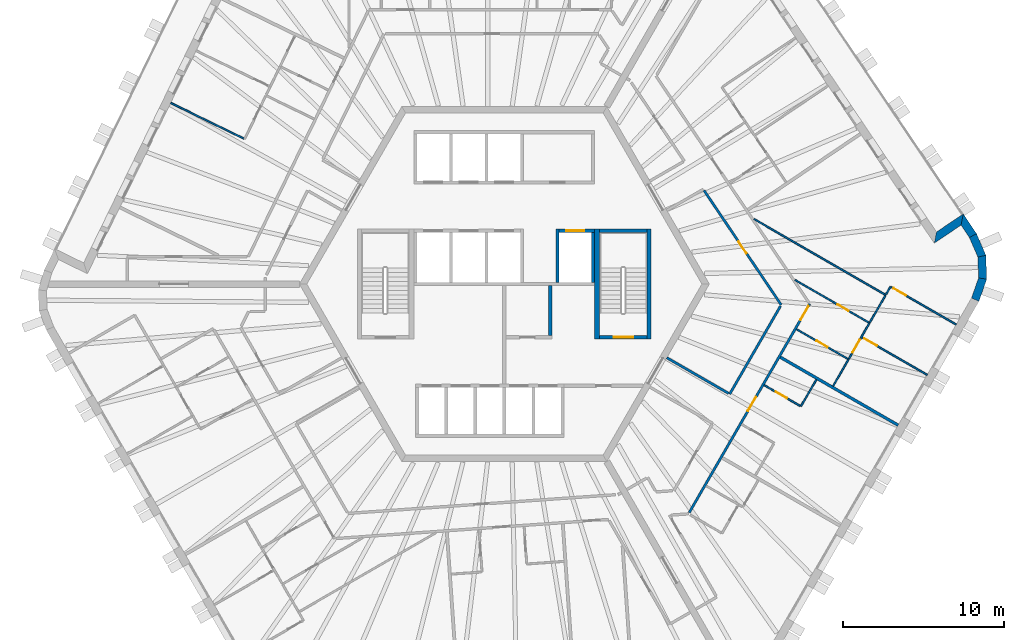
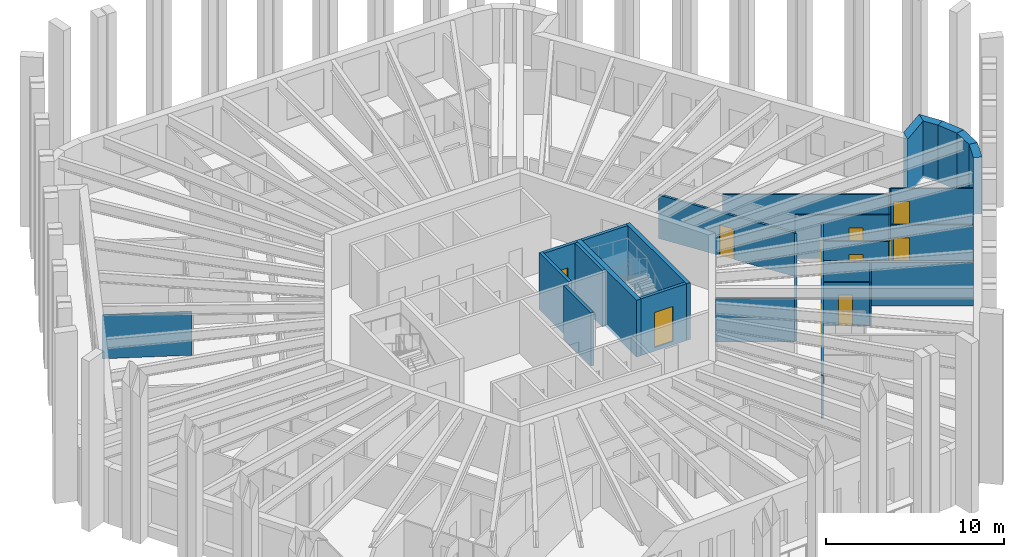
# One storey, part 7 of 13: 30 walls, 11 doors, 11 openings.
"""IFC4 building model written with IfcOpenShell, lengths in metres."""

from ifc_helpers import new_model, si_unit, direction, frame, frame_2d, origin, place, context, subcontext, project, spatial, polyline, rectangle, outline, extrude, material, layer, layer_set, type_object, element, fill, save


model = new_model("IFC4")

# Units and contexts
model_context = context("Model", 3, precision=1e-05, world=origin(), true_north=direction((0.0, 1.0)))
body_context = subcontext(model_context, "Body", "Model", "MODEL_VIEW")
ifc_project = project(units=[si_unit("LENGTHUNIT", "METRE"), si_unit("AREAUNIT", "SQUARE_METRE"), si_unit("VOLUMEUNIT", "CUBIC_METRE"), si_unit("PLANEANGLEUNIT", "RADIAN"), si_unit("MASSUNIT", "GRAM", prefix="KILO")], contexts=[model_context])

# Site, building, storey
site_placement = place(None, origin())
site = spatial("IfcSite", under=ifc_project, at=site_placement, CompositionType="ELEMENT")
building_placement = place(site_placement, origin())
building = spatial("IfcBuilding", under=site, at=building_placement, Name="Tarnside Tower", CompositionType="ELEMENT")
storey_placement = place(building_placement, frame((0.0, 0.0, 267.89990234375)))
storey = spatial("IfcBuildingStorey", under=building, at=storey_placement, Name="L64", CompositionType="ELEMENT", Elevation=267.89990234375)

# Wall
ifc_material_1 = material(Name="Gypsum board partition on steel studs", Category="steel")
ifc_layer_1 = layer(ifc_material_1, 0.10009765625)
ifc_layer_set_1 = layer_set([ifc_layer_1], Name="Bathroom wall 100")
wall_type_1 = type_object("IfcWallType", Name="Bathroom wall 100", PredefinedType="PARTITIONING", material=ifc_layer_set_1)
wall_1_placement = place(storey_placement, frame((19.328125, -5.9228515625, 0.0), z_axis=(0.0, 0.0, 1.0), x_axis=(-0.500043324278, -0.866000389056, 0.0)))
element("IfcWall", 1, at=wall_1_placement, inside=storey, type_object=wall_type_1, Name="Bathroom wall 21152", PredefinedType="PARTITIONING", context=body_context, shape_type="SweptSolid", body=[
    extrude(rectangle(XDim=1.909912109375, YDim=0.10009765625, at=frame_2d((0.955078125, 0.0))), origin(), (0.0, 0.0, 1.0), 2.98779296875),
])

# Wall, opening, door
wall_2_placement = place(storey_placement, frame((18.329833984375, -7.5517578125, 0.0), z_axis=(0.0, 0.0, 1.0), x_axis=(-0.866046643894, 0.499963209246, 0.0)))
wall_2 = element("IfcWall", 2, at=wall_2_placement, inside=storey, type_object=wall_type_1, Name="Bathroom wall 21153", PredefinedType="PARTITIONING", context=body_context, shape_type="SweptSolid", body=[
    extrude(rectangle(XDim=2.574951171875, YDim=0.10009765625, at=frame_2d((1.28759765625, 0.0))), origin(), (0.0, 0.0, 1.0), 2.98779296875),
])
opening_1_placement = place(wall_2_placement, frame((0.949951171875, 0.0, 0.0)))
opening_1 = element("IfcOpeningElement", 3, at=opening_1_placement, cuts=wall_2, Name="Opening D-B1", PredefinedType="OPENING", context=body_context, shape_type="SweptSolid", body=[
    extrude(rectangle(XDim=0.800048828125, YDim=2.10009765625, at=frame_2d((0.39990234375, 1.050048828125))), frame((0.0, 0.06005859375, 0.0), z_axis=(0.0, -1.0, 0.0), x_axis=(1.0, 0.0, 0.0)), (0.0, 0.0, 1.0), 0.1201171875),
])
ifc_material_2 = material(Name="Timber door leaf", Category="wood")
door_type_1 = type_object("IfcDoorType", Name="Bathroom door 800", OperationType="NOTDEFINED", PredefinedType="DOOR", material=ifc_material_2)
door_1_placement = place(opening_1_placement, origin())
door_1 = element("IfcDoor", 4, at=door_1_placement, inside=storey, type_object=door_type_1, Name="Bathroom door 21051", OperationType="SINGLE_SWING_LEFT", OverallHeight=2.10009765625, OverallWidth=0.800048828125, PredefinedType="DOOR", context=body_context, shape_type="SweptSolid", body=[
    extrude(rectangle(XDim=0.800048828125, YDim=2.10009765625, at=frame_2d((0.39990234375, 1.050048828125))), frame((0.0, 0.02490234375, 0.0), z_axis=(0.0, -1.0, 0.0), x_axis=(1.0, 0.0, 0.0)), (0.0, 0.0, 1.0), 0.050048828125),
])
fill(opening_1, door_1)

# Wall
wall_3_placement = place(storey_placement, frame((15.462890625, 4.03369140625, 0.0), z_axis=(0.0, 0.0, 1.0), x_axis=(0.866033324905, -0.499986279965, 0.0)))
element("IfcWall", 5, at=wall_3_placement, inside=storey, type_object=wall_type_1, Name="Bathroom wall 21161", PredefinedType="PARTITIONING", context=body_context, shape_type="SweptSolid", body=[
    extrude(rectangle(XDim=9.425537109375, YDim=0.10009765625, at=frame_2d((4.712890625, 0.0))), origin(), (0.0, 0.0, 1.0), 2.98779296875),
])

# Wall, opening, door
wall_4_placement = place(storey_placement, frame((18.099853515625, -2.80029296875, 0.0), z_axis=(0.0, 0.0, 1.0), x_axis=(0.866012039196, -0.500023147432, 0.0)))
wall_4 = element("IfcWall", 6, at=wall_4_placement, inside=storey, type_object=wall_type_1, Name="Bathroom wall 21164", PredefinedType="PARTITIONING", context=body_context, shape_type="SweptSolid", body=[
    extrude(rectangle(XDim=3.724853515625, YDim=0.10009765625, at=frame_2d((1.8623046875, 0.0))), origin(), (0.0, 0.0, 1.0), 2.98779296875),
])
opening_2_placement = place(wall_4_placement, frame((1.425048828125, 0.0, 0.0)))
opening_2 = element("IfcOpeningElement", 7, at=opening_2_placement, cuts=wall_4, Name="Opening D-B1", PredefinedType="OPENING", context=body_context, shape_type="SweptSolid", body=[
    extrude(rectangle(XDim=0.800048828125, YDim=2.10009765625, at=frame_2d((0.39990234375, 1.050048828125))), frame((0.0, 0.06005859375, 0.0), z_axis=(0.0, -1.0, 0.0), x_axis=(1.0, 0.0, 0.0)), (0.0, 0.0, 1.0), 0.1201171875),
])
door_2_placement = place(opening_2_placement, origin())
door_2 = element("IfcDoor", 8, at=door_2_placement, inside=storey, type_object=door_type_1, Name="Bathroom door 21054", OperationType="SINGLE_SWING_RIGHT", OverallHeight=2.10009765625, OverallWidth=0.800048828125, PredefinedType="DOOR", context=body_context, shape_type="SweptSolid", body=[
    extrude(rectangle(XDim=0.800048828125, YDim=2.10009765625, at=frame_2d((0.39990234375, 1.050048828125))), frame((0.0, 0.02490234375, 0.0), z_axis=(0.0, -1.0, 0.0), x_axis=(1.0, 0.0, 0.0)), (0.0, 0.0, 1.0), 0.050048828125),
])
fill(opening_2, door_2)

wall_5_placement = place(storey_placement, frame((22.625732421875, -2.4111328125, 0.0), z_axis=(0.0, 0.0, 1.0), x_axis=(-0.866016851835, 0.500014812119, 0.0)))
wall_5 = element("IfcWall", 9, at=wall_5_placement, inside=storey, type_object=wall_type_1, Name="Bathroom wall 21167", PredefinedType="PARTITIONING", context=body_context, shape_type="SweptSolid", body=[
    extrude(rectangle(XDim=5.324951171875, YDim=0.10009765625, at=frame_2d((2.66259765625, 0.0))), origin(), (0.0, 0.0, 1.0), 2.98779296875),
])
opening_3_placement = place(wall_5_placement, frame((1.5, 0.0, 0.0)))
opening_3 = element("IfcOpeningElement", 10, at=opening_3_placement, cuts=wall_5, Name="Opening D-B1", PredefinedType="OPENING", context=body_context, shape_type="SweptSolid", body=[
    extrude(rectangle(XDim=0.800048828125, YDim=2.10009765625, at=frame_2d((0.39990234375, 1.050048828125))), frame((0.0, 0.06005859375, 0.0), z_axis=(0.0, -1.0, 0.0), x_axis=(1.0, 0.0, 0.0)), (0.0, 0.0, 1.0), 0.1201171875),
])
door_3_placement = place(opening_3_placement, origin())
door_3 = element("IfcDoor", 11, at=door_3_placement, inside=storey, type_object=door_type_1, Name="Bathroom door 21062", OperationType="SINGLE_SWING_RIGHT", OverallHeight=2.10009765625, OverallWidth=0.800048828125, PredefinedType="DOOR", context=body_context, shape_type="SweptSolid", body=[
    extrude(rectangle(XDim=0.800048828125, YDim=2.10009765625, at=frame_2d((0.39990234375, 1.050048828125))), frame((0.0, 0.02490234375, 0.0), z_axis=(0.0, -1.0, 0.0), x_axis=(1.0, 0.0, 0.0)), (0.0, 0.0, 1.0), 0.050048828125),
])
fill(opening_3, door_3)

# Walls
wall_6_placement = place(storey_placement, frame((20.370849609375, -6.31689453125, 0.0), z_axis=(0.0, 0.0, 1.0), x_axis=(0.49994353734, 0.866058000062, 0.0)))
element("IfcWall", 12, at=wall_6_placement, inside=storey, type_object=wall_type_1, Name="Bathroom wall 21168", PredefinedType="PARTITIONING", context=body_context, shape_type="SweptSolid", body=[
    extrude(rectangle(XDim=1.911865234375, YDim=0.10009765625, at=frame_2d((0.9560546875, 0.0))), origin(), (0.0, 0.0, 1.0), 2.98779296875),
])
wall_7_placement = place(storey_placement, frame((23.600830078125, -0.722412109375, 0.0), z_axis=(0.0, 0.0, 1.0), x_axis=(-0.500119165741, -0.865956592479, 0.0)))
element("IfcWall", 13, at=wall_7_placement, inside=storey, type_object=wall_type_1, Name="Bathroom wall 21170", PredefinedType="PARTITIONING", context=body_context, shape_type="SweptSolid", body=[
    extrude(rectangle(XDim=1.89990234375, YDim=0.10009765625, at=frame_2d((0.949951171875, 0.0))), origin(), (0.0, 0.0, 1.0), 2.98779296875),
])
ifc_material_3 = material(Name="Concrete C40/50", Category="concrete")
ifc_layer_2 = layer(ifc_material_3, 0.199951171875)
ifc_layer_set_2 = layer_set([ifc_layer_2], Name="Core room partition 200 C40/50")
wall_type_2 = type_object("IfcWallType", Name="Core room partition 200 C40/50", PredefinedType="PARTITIONING", material=ifc_layer_set_2)
wall_8_placement = place(storey_placement, frame((2.85009765625, -3.199951171875, 0.0), z_axis=(0.0, 0.0, 1.0), x_axis=(0.0, 1.0, 0.0)))
element("IfcWall", 14, at=wall_8_placement, inside=storey, type_object=wall_type_2, Name="L64 core partition R3P1b", PredefinedType="PARTITIONING", context=body_context, shape_type="SweptSolid", body=[
    extrude(rectangle(XDim=3.099853515625, YDim=0.199951171875, at=frame_2d((1.5498046875, 0.0))), origin(), (0.0, 0.0, 1.0), 3.650146484375),
])

# Wall, openings, doors
ifc_layer_3 = layer(ifc_material_1, 0.14990234375)
ifc_layer_set_3 = layer_set([ifc_layer_3], Name="Corridor wall 150 EI 60")
wall_type_3 = type_object("IfcWallType", Name="Corridor wall 150 EI 60", PredefinedType="PARTITIONING", material=ifc_layer_set_3)
wall_9_placement = place(storey_placement, frame((11.454345703125, -14.160400390625, 0.0), z_axis=(0.0, 0.0, 1.0), x_axis=(0.500000296604, 0.86602523254, 0.0)))
wall_9 = element("IfcWall", 15, at=wall_9_placement, inside=storey, type_object=wall_type_3, Name="Corridor wall 21059", PredefinedType="PARTITIONING", context=body_context, shape_type="SweptSolid", body=[
    extrude(rectangle(XDim=14.93359375, YDim=0.14990234375, at=frame_2d((7.466796875, 0.0))), origin(), (0.0, 0.0, 1.0), 2.98779296875),
])
opening_4_placement = place(wall_9_placement, frame((7.260986328125, 0.0, 0.0)))
opening_4 = element("IfcOpeningElement", 16, at=opening_4_placement, cuts=wall_9, Name="Opening D-E1", PredefinedType="OPENING", context=body_context, shape_type="SweptSolid", body=[
    extrude(rectangle(XDim=1.0, YDim=2.10009765625, at=frame_2d((0.5, 1.050048828125))), frame((0.0, 0.0849609375, 0.0), z_axis=(0.0, -1.0, 0.0), x_axis=(1.0, 0.0, 0.0)), (0.0, 0.0, 1.0), 0.169921875),
])
opening_5_placement = place(wall_9_placement, frame((13.78369140625, 0.0, 0.0)))
opening_5 = element("IfcOpeningElement", 17, at=opening_5_placement, cuts=wall_9, Name="Opening D-E1", PredefinedType="OPENING", context=body_context, shape_type="SweptSolid", body=[
    extrude(rectangle(XDim=1.0, YDim=2.10009765625, at=frame_2d((0.5, 1.050048828125))), frame((0.0, 0.0849609375, 0.0), z_axis=(0.0, -1.0, 0.0), x_axis=(1.0, 0.0, 0.0)), (0.0, 0.0, 1.0), 0.169921875),
])
door_type_2 = type_object("IfcDoorType", Name="Unit entrance door 1000 FD30S", OperationType="NOTDEFINED", PredefinedType="DOOR", material=ifc_material_2)
door_4_placement = place(opening_4_placement, origin())
door_4 = element("IfcDoor", 18, at=door_4_placement, inside=storey, type_object=door_type_2, Name="Unit door 21050", OperationType="SINGLE_SWING_RIGHT", OverallHeight=2.10009765625, OverallWidth=1.0, PredefinedType="DOOR", context=body_context, shape_type="SweptSolid", body=[
    extrude(rectangle(XDim=1.0, YDim=2.10009765625, at=frame_2d((0.5, 1.050048828125))), frame((0.0, 0.02490234375, 0.0), z_axis=(0.0, -1.0, 0.0), x_axis=(1.0, 0.0, 0.0)), (0.0, 0.0, 1.0), 0.050048828125),
])
fill(opening_4, door_4)
door_5_placement = place(opening_5_placement, origin())
door_5 = element("IfcDoor", 19, at=door_5_placement, inside=storey, type_object=door_type_2, Name="Unit door 21053", OperationType="SINGLE_SWING_LEFT", OverallHeight=2.10009765625, OverallWidth=1.0, PredefinedType="DOOR", context=body_context, shape_type="SweptSolid", body=[
    extrude(rectangle(XDim=1.0, YDim=2.10009765625, at=frame_2d((0.5, 1.050048828125))), frame((0.0, 0.02490234375, 0.0), z_axis=(0.0, -1.0, 0.0), x_axis=(1.0, 0.0, 0.0)), (0.0, 0.0, 1.0), 0.050048828125),
])
fill(opening_5, door_5)

# Wall, opening, door
wall_10_placement = place(storey_placement, frame((12.36669921875, 5.8076171875, 0.0), z_axis=(0.0, 0.0, 1.0), x_axis=(0.559187256666, -0.829041381345, 0.0)))
wall_10 = element("IfcWall", 20, at=wall_10_placement, inside=storey, type_object=wall_type_3, Name="Corridor wall 21075", PredefinedType="PARTITIONING", context=body_context, shape_type="SweptSolid", body=[
    extrude(rectangle(XDim=8.560302734375, YDim=0.14990234375, at=frame_2d((4.2802734375, 0.0))), origin(), (0.0, 0.0, 1.0), 2.98779296875),
])
opening_6_placement = place(wall_10_placement, frame((3.830078125, 0.0, 0.0)))
opening_6 = element("IfcOpeningElement", 21, at=opening_6_placement, cuts=wall_10, Name="Opening D-S1", PredefinedType="OPENING", context=body_context, shape_type="SweptSolid", body=[
    extrude(rectangle(XDim=0.89990234375, YDim=2.10009765625, at=frame_2d((0.449951171875, 1.050048828125))), frame((0.0, 0.0849609375, 0.0), z_axis=(0.0, -1.0, 0.0), x_axis=(1.0, 0.0, 0.0)), (0.0, 0.0, 1.0), 0.169921875),
])
door_type_3 = type_object("IfcDoorType", Name="Service room door 900 FD30S", OperationType="NOTDEFINED", PredefinedType="DOOR", material=ifc_material_2)
door_6_placement = place(opening_6_placement, origin())
door_6 = element("IfcDoor", 22, at=door_6_placement, inside=storey, type_object=door_type_3, Name="Service door 21073", OperationType="SINGLE_SWING_RIGHT", OverallHeight=2.10009765625, OverallWidth=0.89990234375, PredefinedType="DOOR", context=body_context, shape_type="SweptSolid", body=[
    extrude(rectangle(XDim=0.89990234375, YDim=2.10009765625, at=frame_2d((0.449951171875, 1.050048828125))), frame((0.0, 0.02490234375, 0.0), z_axis=(0.0, -1.0, 0.0), x_axis=(1.0, 0.0, 0.0)), (0.0, 0.0, 1.0), 0.050048828125),
])
fill(opening_6, door_6)

# Walls
wall_11_placement = place(storey_placement, frame((17.11181640625, -1.361572265625, 0.0), z_axis=(0.0, 0.0, 1.0), x_axis=(-0.49999985423, -0.866025487945, 0.0)))
element("IfcWall", 23, at=wall_11_placement, inside=storey, type_object=wall_type_3, Name="Corridor wall 21076", PredefinedType="PARTITIONING", context=body_context, shape_type="SweptSolid", body=[
    extrude(rectangle(XDim=6.2978515625, YDim=0.14990234375, at=frame_2d((3.14892578125, 0.0))), origin(), (0.0, 0.0, 1.0), 2.98779296875),
])
wall_12_placement = place(storey_placement, frame((13.89794921875, -6.778076171875, 0.0), z_axis=(0.0, 0.0, 1.0), x_axis=(-0.866041342403, 0.499972392486, 0.0)))
element("IfcWall", 24, at=wall_12_placement, inside=storey, type_object=wall_type_3, Name="Corridor wall 21077", PredefinedType="PARTITIONING", context=body_context, shape_type="SweptSolid", body=[
    extrude(rectangle(XDim=4.425048828125, YDim=0.14990234375, at=frame_2d((2.21240234375, 0.0))), origin(), (0.0, 0.0, 1.0), 2.98779296875),
])
ifc_layer_4 = layer(ifc_material_1, 0.179931640625)
ifc_layer_set_4 = layer_set([ifc_layer_4], Name="Demising wall 180 EI 60")
wall_type_4 = type_object("IfcWallType", Name="Demising wall 180 EI 60", PredefinedType="PARTITIONING", material=ifc_layer_set_4)
wall_13_placement = place(storey_placement, frame((24.39599609375, -8.744873046875, 0.0), z_axis=(0.0, 0.0, 1.0), x_axis=(-0.866014270972, 0.500019282102, 0.0)))
element("IfcWall", 25, at=wall_13_placement, inside=storey, type_object=wall_type_4, Name="Demising wall 21156", PredefinedType="PARTITIONING", context=body_context, shape_type="SweptSolid", body=[
    extrude(rectangle(XDim=8.425048828125, YDim=0.179931640625, at=frame_2d((4.21240234375, 0.0))), origin(), (0.0, 0.0, 1.0), 2.98779296875),
])

# Wall, opening, door
ifc_layer_5 = layer(ifc_material_3, 0.199951171875)
ifc_layer_set_5 = layer_set([ifc_layer_5], Name="Lift shaft wall 200 C40/50")
wall_type_5 = type_object("IfcWallType", Name="Lift shaft wall 200 C40/50", PredefinedType="SHEAR", material=ifc_layer_set_5)
wall_14_placement = place(storey_placement, frame((3.39990234375, 3.300048828125, -0.25), z_axis=(0.0, 0.0, 1.0), x_axis=(1.0, 0.0, 0.0)))
wall_14 = element("IfcWall", 26, at=wall_14_placement, inside=storey, type_object=wall_type_5, Name="L64 lift shaft front wall R2 2", PredefinedType="SHEAR", context=body_context, shape_type="SweptSolid", body=[
    extrude(rectangle(XDim=2.2001953125, YDim=0.199951171875, at=frame_2d((1.10009765625, 0.0))), origin(), (0.0, 0.0, 1.0), 3.900146484375),
])
opening_7_placement = place(wall_14_placement, frame((0.449951171875, 0.0, 0.25)))
opening_7 = element("IfcOpeningElement", 27, at=opening_7_placement, cuts=wall_14, Name="Opening LD", PredefinedType="OPENING", context=body_context, shape_type="SweptSolid", body=[
    extrude(rectangle(XDim=1.10009765625, YDim=2.10009765625, at=frame_2d((0.550048828125, 1.050048828125))), frame((0.0, 0.10986328125, 0.0), z_axis=(0.0, -1.0, 0.0), x_axis=(1.0, 0.0, 0.0)), (0.0, 0.0, 1.0), 0.219970703125),
])
ifc_material_4 = material(Name="Stainless steel", Category="steel")
door_type_4 = type_object("IfcDoorType", Name="Lift landing door 1100x2100", OperationType="NOTDEFINED", PredefinedType="DOOR", material=ifc_material_4)
door_7_placement = place(opening_7_placement, origin())
door_7 = element("IfcDoor", 28, at=door_7_placement, inside=storey, type_object=door_type_4, Name="Express sky-lobby shuttle 2 landing door L64", OperationType="SLIDING_TO_LEFT", OverallHeight=2.10009765625, OverallWidth=1.10009765625, PredefinedType="DOOR", context=body_context, shape_type="SweptSolid", body=[
    extrude(rectangle(XDim=1.10009765625, YDim=2.10009765625, at=frame_2d((0.550048828125, 1.050048828125))), frame((0.0, 0.02490234375, 0.0), z_axis=(0.0, -1.0, 0.0), x_axis=(1.0, 0.0, 0.0)), (0.0, 0.0, 1.0), 0.050048828125),
])
fill(opening_7, door_7)

# Walls
wall_15_placement = place(storey_placement, frame((3.300048828125, 0.10009765625, -0.25), z_axis=(0.0, 0.0, 1.0), x_axis=(0.0, 1.0, 0.0)))
element("IfcWall", 29, at=wall_15_placement, inside=storey, type_object=wall_type_5, Name="L64 lift shaft partition R25", PredefinedType="SHEAR", context=body_context, shape_type="SweptSolid", body=[
    extrude(rectangle(XDim=3.2998046875, YDim=0.199951171875, at=frame_2d((1.64990234375, 0.0))), origin(), (0.0, 0.0, 1.0), 3.900146484375),
])
wall_16_placement = place(storey_placement, frame((5.5, 0.10009765625, -0.25), z_axis=(0.0, 0.0, 1.0), x_axis=(0.0, 1.0, 0.0)))
element("IfcWall", 30, at=wall_16_placement, inside=storey, type_object=wall_type_5, Name="L64 lift shaft partition R26", PredefinedType="SHEAR", context=body_context, shape_type="SweptSolid", body=[
    extrude(rectangle(XDim=3.099853515625, YDim=0.199951171875, at=frame_2d((1.5498046875, 0.0))), origin(), (0.0, 0.0, 1.0), 3.900146484375),
])
wall_17_placement = place(storey_placement, frame((5.89990234375, 3.300048828125, -0.25), z_axis=(0.0, 0.0, 1.0), x_axis=(1.0, 0.0, 0.0)))
element("IfcWall", 31, at=wall_17_placement, inside=storey, type_object=wall_type_5, Name="L64 stair 1 enclosure cap wall n", PredefinedType="SHEAR", context=body_context, shape_type="SweptSolid", body=[
    extrude(rectangle(XDim=2.9501953125, YDim=0.199951171875, at=frame_2d((1.47509765625, 0.0))), origin(), (0.0, 0.0, 1.0), 3.900146484375),
])

# Wall, opening, door
wall_18_placement = place(storey_placement, frame((5.89990234375, -3.300048828125, -0.25), z_axis=(0.0, 0.0, 1.0), x_axis=(1.0, 0.0, 0.0)))
wall_18 = element("IfcWall", 32, at=wall_18_placement, inside=storey, type_object=wall_type_5, Name="L64 stair 1 enclosure cap wall s", PredefinedType="SHEAR", context=body_context, shape_type="SweptSolid", body=[
    extrude(rectangle(XDim=2.9501953125, YDim=0.199951171875, at=frame_2d((1.47509765625, 0.0))), origin(), (0.0, 0.0, 1.0), 3.900146484375),
])
opening_8_placement = place(wall_18_placement, frame((0.875, 0.0, 0.25)))
opening_8 = element("IfcOpeningElement", 33, at=opening_8_placement, cuts=wall_18, Name="Opening CD-STR", PredefinedType="OPENING", context=body_context, shape_type="SweptSolid", body=[
    extrude(rectangle(XDim=1.199951171875, YDim=2.39990234375, at=frame_2d((0.60009765625, 1.199951171875))), frame((0.0, 0.10986328125, 0.0), z_axis=(0.0, -1.0, 0.0), x_axis=(1.0, 0.0, 0.0)), (0.0, 0.0, 1.0), 0.219970703125),
])
ifc_material_5 = material(Name="Steel fire door", Category="steel")
door_type_5 = type_object("IfcDoorType", Name="Stair door FD60S 1200x2400", OperationType="NOTDEFINED", PredefinedType="DOOR", material=ifc_material_5)
door_8_placement = place(opening_8_placement, origin())
door_8 = element("IfcDoor", 34, at=door_8_placement, inside=storey, type_object=door_type_5, Name="L64 stair 1 door", OperationType="SINGLE_SWING_LEFT", OverallHeight=2.39990234375, OverallWidth=1.199951171875, PredefinedType="DOOR", context=body_context, shape_type="SweptSolid", body=[
    extrude(rectangle(XDim=1.199951171875, YDim=2.39990234375, at=frame_2d((0.60009765625, 1.199951171875))), frame((0.0, 0.02490234375, 0.0), z_axis=(0.0, -1.0, 0.0), x_axis=(1.0, 0.0, 0.0)), (0.0, 0.0, 1.0), 0.050048828125),
])
fill(opening_8, door_8)

# Walls
ifc_material_6 = material(Name="Dark zinc cladding")
ifc_layer_6 = layer(ifc_material_6, 0.10205078125)
ifc_material_7 = material(Name="Concrete C60/75 precast", Category="concrete")
ifc_layer_7 = layer(ifc_material_7, 0.298095703125)
ifc_material_8 = material(Name="Mineral wool insulation")
ifc_layer_8 = layer(ifc_material_8, 0.10009765625)
ifc_layer_set_6 = layer_set([ifc_layer_6, ifc_layer_7, ifc_layer_8], Name="Loggia wall 500 zinc faced")
wall_type_6 = type_object("IfcWallType", Name="Loggia wall 500 zinc faced", PredefinedType="SOLIDWALL", material=ifc_layer_set_6)
wall_19_placement = place(storey_placement, frame((29.034912109375, 3.00244140625, -0.14990234375), z_axis=(0.0, 0.0, 1.0), x_axis=(-0.559200218553, 0.829032638423, 0.0)))
element("IfcWall", 35, at=wall_19_placement, inside=storey, type_object=wall_type_6, Name="Tube wall L64 F6 stub 28", PredefinedType="SOLIDWALL", context=body_context, shape_type="SweptSolid", body=[
    extrude(outline(polyline([(-0.0234375, -0.25), (1.44970703125, -0.25), (0.94970703125, 0.25), (0.0234375, 0.25), (-0.0234375, -0.25)])), origin(), (0.0, 0.0, 1.0), 3.89990234375),
])
wall_20_placement = place(storey_placement, frame((28.364013671875, 3.9970703125, -0.14990234375), z_axis=(0.0, 0.0, 1.0), x_axis=(-0.829108975345, -0.5590870299, 0.0)))
element("IfcWall", 36, at=wall_20_placement, inside=storey, type_object=wall_type_6, Name="Tube wall L64 F6 return 29", PredefinedType="SOLIDWALL", context=body_context, shape_type="SweptSolid", body=[
    extrude(outline(polyline([(-0.25, -0.25), (1.75, -0.25), (2.25, 0.25), (0.25, 0.25), (-0.25, -0.25)])), origin(), (0.0, 0.0, 1.0), 3.89990234375),
])
ifc_layer_9 = layer(ifc_material_1, 0.10009765625)
ifc_layer_set_7 = layer_set([ifc_layer_9], Name="Partition 100")
wall_type_7 = type_object("IfcWallType", Name="Partition 100", PredefinedType="PARTITIONING", material=ifc_layer_set_7)
wall_21_placement = place(storey_placement, frame((-16.133544921875, 9.009033203125, 0.0), z_axis=(0.0, 0.0, 1.0), x_axis=(-0.898802361891, 0.438354096889, 0.0)))
element("IfcWall", 37, at=wall_21_placement, inside=storey, type_object=wall_type_7, Name="Partition wall 21108", PredefinedType="PARTITIONING", context=body_context, shape_type="SweptSolid", body=[
    extrude(rectangle(XDim=5.0498046875, YDim=0.10009765625, at=frame_2d((2.52490234375, 0.0))), origin(), (0.0, 0.0, 1.0), 2.98779296875),
])
wall_22_placement = place(storey_placement, frame((23.649658203125, -0.637451171875, 0.0), z_axis=(0.0, 0.0, 1.0), x_axis=(0.500181810019, 0.865920410272, 0.0)))
element("IfcWall", 38, at=wall_22_placement, inside=storey, type_object=wall_type_7, Name="Partition wall 21159", PredefinedType="PARTITIONING", context=body_context, shape_type="SweptSolid", body=[
    extrude(rectangle(XDim=0.552001953125, YDim=0.10009765625, at=frame_2d((0.27587890625, 0.0))), origin(), (0.0, 0.0, 1.0), 2.98779296875),
])

# Wall, opening, door
wall_23_placement = place(storey_placement, frame((23.968994140625, -0.184326171875, 0.0), z_axis=(0.0, 0.0, 1.0), x_axis=(0.866011596997, -0.500023913295, 0.0)))
wall_23 = element("IfcWall", 39, at=wall_23_placement, inside=storey, type_object=wall_type_7, Name="Partition wall 21160", PredefinedType="PARTITIONING", context=body_context, shape_type="SweptSolid", body=[
    extrude(rectangle(XDim=4.650146484375, YDim=0.10009765625, at=frame_2d((2.3251953125, 0.0))), origin(), (0.0, 0.0, 1.0), 2.98779296875),
])
opening_9_placement = place(wall_23_placement, frame((0.14990234375, 0.0, 0.0)))
opening_9 = element("IfcOpeningElement", 40, at=opening_9_placement, cuts=wall_23, Name="Opening D-I1", PredefinedType="OPENING", context=body_context, shape_type="SweptSolid", body=[
    extrude(rectangle(XDim=0.89990234375, YDim=2.10009765625, at=frame_2d((0.449951171875, 1.050048828125))), frame((0.0, 0.06005859375, 0.0), z_axis=(0.0, -1.0, 0.0), x_axis=(1.0, 0.0, 0.0)), (0.0, 0.0, 1.0), 0.1201171875),
])
door_type_6 = type_object("IfcDoorType", Name="Internal door 900", OperationType="NOTDEFINED", PredefinedType="DOOR", material=ifc_material_2)
door_9_placement = place(opening_9_placement, origin())
door_9 = element("IfcDoor", 41, at=door_9_placement, inside=storey, type_object=door_type_6, Name="Internal door 21061", OperationType="SINGLE_SWING_RIGHT", OverallHeight=2.10009765625, OverallWidth=0.89990234375, PredefinedType="DOOR", context=body_context, shape_type="SweptSolid", body=[
    extrude(rectangle(XDim=0.89990234375, YDim=2.10009765625, at=frame_2d((0.449951171875, 1.050048828125))), frame((0.0, 0.02490234375, 0.0), z_axis=(0.0, -1.0, 0.0), x_axis=(1.0, 0.0, 0.0)), (0.0, 0.0, 1.0), 0.050048828125),
])
fill(opening_9, door_9)

wall_24_placement = place(storey_placement, frame((21.349609375, -4.62109375, 0.0), z_axis=(0.0, 0.0, 1.0), x_axis=(0.500056202316, 0.865992952931, 0.0)))
wall_24 = element("IfcWall", 42, at=wall_24_placement, inside=storey, type_object=wall_type_7, Name="Partition wall 21165", PredefinedType="PARTITIONING", context=body_context, shape_type="SweptSolid", body=[
    extrude(rectangle(XDim=2.553955078125, YDim=0.10009765625, at=frame_2d((1.27685546875, 0.0))), origin(), (0.0, 0.0, 1.0), 2.98779296875),
])
opening_10_placement = place(wall_24_placement, frame((0.451904296875, 0.0, 0.0)))
opening_10 = element("IfcOpeningElement", 43, at=opening_10_placement, cuts=wall_24, Name="Opening D-I1", PredefinedType="OPENING", context=body_context, shape_type="SweptSolid", body=[
    extrude(rectangle(XDim=0.89990234375, YDim=2.10009765625, at=frame_2d((0.449951171875, 1.050048828125))), frame((0.0, 0.06005859375, 0.0), z_axis=(0.0, -1.0, 0.0), x_axis=(1.0, 0.0, 0.0)), (0.0, 0.0, 1.0), 0.1201171875),
])
door_10_placement = place(opening_10_placement, origin())
door_10 = element("IfcDoor", 44, at=door_10_placement, inside=storey, type_object=door_type_6, Name="Internal door 21056", OperationType="SINGLE_SWING_LEFT", OverallHeight=2.10009765625, OverallWidth=0.89990234375, PredefinedType="DOOR", context=body_context, shape_type="SweptSolid", body=[
    extrude(rectangle(XDim=0.89990234375, YDim=2.10009765625, at=frame_2d((0.449951171875, 1.050048828125))), frame((0.0, 0.02490234375, 0.0), z_axis=(0.0, -1.0, 0.0), x_axis=(1.0, 0.0, 0.0)), (0.0, 0.0, 1.0), 0.050048828125),
])
fill(opening_10, door_10)

wall_25_placement = place(storey_placement, frame((26.196044921875, -5.627197265625, 0.0), z_axis=(0.0, 0.0, 1.0), x_axis=(-0.866011596997, 0.500023913295, 0.0)))
wall_25 = element("IfcWall", 45, at=wall_25_placement, inside=storey, type_object=wall_type_7, Name="Partition wall 21169", PredefinedType="PARTITIONING", context=body_context, shape_type="SweptSolid", body=[
    extrude(rectangle(XDim=4.650146484375, YDim=0.10009765625, at=frame_2d((2.3251953125, 0.0))), origin(), (0.0, 0.0, 1.0), 2.98779296875),
])
opening_11_placement = place(wall_25_placement, frame((3.60009765625, 0.0, 0.0)))
opening_11 = element("IfcOpeningElement", 46, at=opening_11_placement, cuts=wall_25, Name="Opening D-I1", PredefinedType="OPENING", context=body_context, shape_type="SweptSolid", body=[
    extrude(rectangle(XDim=0.89990234375, YDim=2.10009765625, at=frame_2d((0.449951171875, 1.050048828125))), frame((0.0, 0.06005859375, 0.0), z_axis=(0.0, -1.0, 0.0), x_axis=(1.0, 0.0, 0.0)), (0.0, 0.0, 1.0), 0.1201171875),
])
door_11_placement = place(opening_11_placement, origin())
door_11 = element("IfcDoor", 47, at=door_11_placement, inside=storey, type_object=door_type_6, Name="Internal door 21059", OperationType="SINGLE_SWING_RIGHT", OverallHeight=2.10009765625, OverallWidth=0.89990234375, PredefinedType="DOOR", context=body_context, shape_type="SweptSolid", body=[
    extrude(rectangle(XDim=0.89990234375, YDim=2.10009765625, at=frame_2d((0.449951171875, 1.050048828125))), frame((0.0, 0.02490234375, 0.0), z_axis=(0.0, -1.0, 0.0), x_axis=(1.0, 0.0, 0.0)), (0.0, 0.0, 1.0), 0.050048828125),
])
fill(opening_11, door_11)

# Walls
ifc_layer_10 = layer(ifc_material_3, 0.25)
ifc_layer_set_8 = layer_set([ifc_layer_10], Name="Stair enclosure wall 250 C40/50")
wall_type_8 = type_object("IfcWallType", Name="Stair enclosure wall 250 C40/50", PredefinedType="SHEAR", material=ifc_layer_set_8)
wall_26_placement = place(storey_placement, frame((8.97509765625, -3.39990234375, -0.25), z_axis=(0.0, 0.0, 1.0), x_axis=(0.0, 1.0, 0.0)))
element("IfcWall", 48, at=wall_26_placement, inside=storey, type_object=wall_type_8, Name="L64 stair 1 enclosure wall outer", PredefinedType="SHEAR", context=body_context, shape_type="SweptSolid", body=[
    extrude(rectangle(XDim=6.7998046875, YDim=0.25, at=frame_2d((3.39990234375, 0.0))), origin(), (0.0, 0.0, 1.0), 3.900146484375),
])
ifc_layer_11 = layer(ifc_material_3, 0.300048828125)
ifc_layer_set_9 = layer_set([ifc_layer_11], Name="Stair enclosure wall 300 C40/50")
wall_type_9 = type_object("IfcWallType", Name="Stair enclosure wall 300 C40/50", PredefinedType="SHEAR", material=ifc_layer_set_9)
wall_27_placement = place(storey_placement, frame((5.75, -3.39990234375, -0.25), z_axis=(0.0, 0.0, 1.0), x_axis=(0.0, 1.0, 0.0)))
element("IfcWall", 49, at=wall_27_placement, inside=storey, type_object=wall_type_9, Name="L64 stair 1 enclosure wall inner", PredefinedType="SHEAR", context=body_context, shape_type="SweptSolid", body=[
    extrude(rectangle(XDim=6.7998046875, YDim=0.300048828125, at=frame_2d((3.39990234375, 0.0))), origin(), (0.0, 0.0, 1.0), 3.900146484375),
])
ifc_material_9 = material(Name="Facing brick", Category="masonry")
ifc_layer_12 = layer(ifc_material_9, 0.10205078125)
ifc_layer_13 = layer(ifc_material_7, 0.298095703125)
ifc_layer_14 = layer(ifc_material_8, 0.10009765625)
ifc_layer_set_10 = layer_set([ifc_layer_12, ifc_layer_13, ifc_layer_14], Name="Tube wall 500 brick faced")
wall_type_10 = type_object("IfcWallType", Name="Tube wall 500 brick faced", PredefinedType="SOLIDWALL", material=ifc_layer_set_10)
wall_28_placement = place(storey_placement, frame((29.173828125, -0.9697265625, -0.14990234375), z_axis=(0.0, 0.0, 1.0), x_axis=(0.330961348063, 0.943644311215, 0.0)))
element("IfcWall", 50, at=wall_28_placement, inside=storey, type_object=wall_type_10, Name="Tube wall L64 F5 chord 25", PredefinedType="SOLIDWALL", context=body_context, shape_type="SweptSolid", body=[
    extrude(outline(polyline([(-0.0234375, -0.25), (1.435302734375, -0.25), (1.341064453125, 0.25), (0.0234375, 0.25), (-0.0234375, -0.25)])), origin(), (0.0, 0.0, 1.0), 3.89990234375),
])
wall_29_placement = place(storey_placement, frame((29.63330078125, 0.34033203125, -0.14990234375), z_axis=(0.0, 0.0, 1.0), x_axis=(-0.034825746769, 0.999393399699, 0.0)))
element("IfcWall", 51, at=wall_29_placement, inside=storey, type_object=wall_type_10, Name="Tube wall L64 F5 chord 26", PredefinedType="SOLIDWALL", context=body_context, shape_type="SweptSolid", body=[
    extrude(outline(polyline([(-0.047119140625, -0.25), (1.43505859375, -0.25), (1.3408203125, 0.25), (0.047119140625, 0.25), (-0.047119140625, -0.25)])), origin(), (0.0, 0.0, 1.0), 3.89990234375),
])
wall_30_placement = place(storey_placement, frame((29.5849609375, 1.7275390625, -0.14990234375), z_axis=(0.0, 0.0, 1.0), x_axis=(-0.396146339195, 0.918187387162, 0.0)))
element("IfcWall", 52, at=wall_30_placement, inside=storey, type_object=wall_type_10, Name="Tube wall L64 F5 chord 27", PredefinedType="SOLIDWALL", context=body_context, shape_type="SweptSolid", body=[
    extrude(outline(polyline([(-0.047119140625, -0.25), (1.411865234375, -0.25), (1.364990234375, 0.25), (0.047119140625, 0.25), (-0.047119140625, -0.25)])), origin(), (0.0, 0.0, 1.0), 3.89990234375),
])

save(model, "model.ifc")
